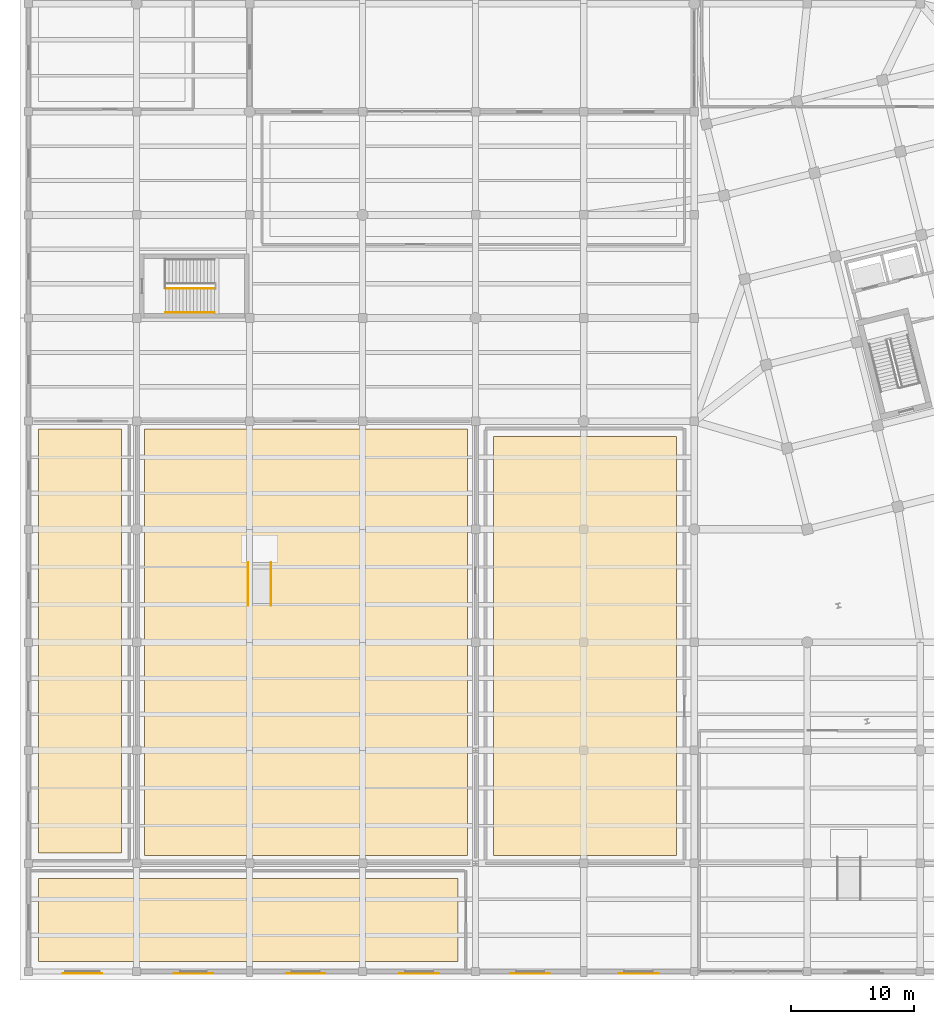
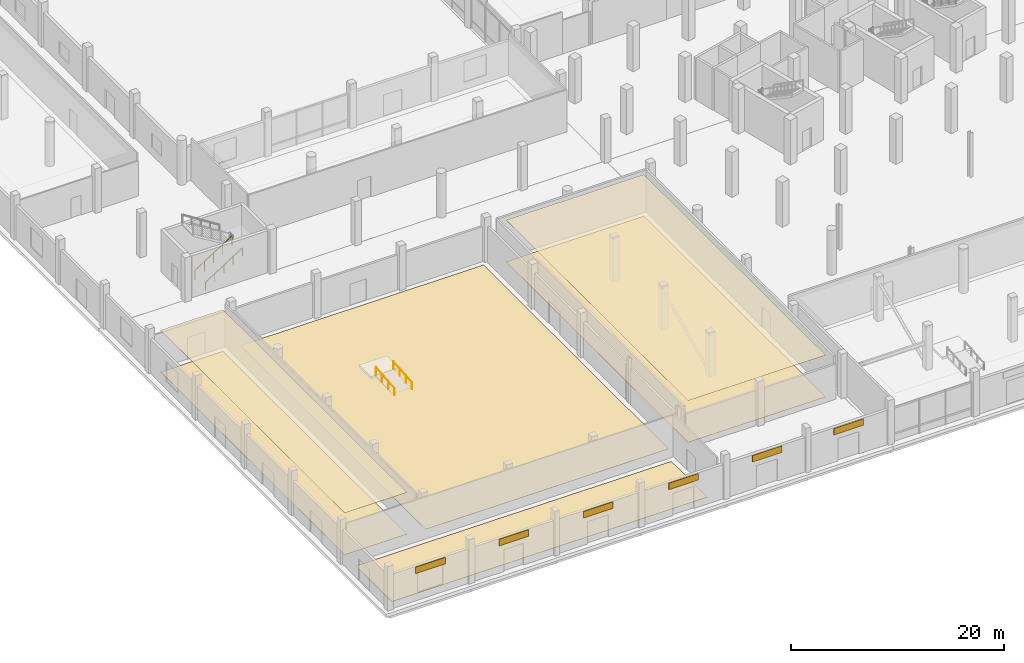
# One storey, part 66 of 73: 12 coverings, 4 railings.
"""IFC4 building model written with IfcOpenShell, lengths in metres."""

from ifc_helpers import new_model, si_unit, direction, frame, origin, origin_2d, place, context, subcontext, project, spatial, polyline, rectangle, circle, outline, extrude, material, layer, layer_set, type_object, element, save


model = new_model("IFC4")

# Units and contexts
model_context = context("Model", 3, precision=1e-05, world=origin(), true_north=direction((0.0, 1.0)))
body_context = subcontext(model_context, "Body", "Model", "MODEL_VIEW")
ifc_project = project(units=[si_unit("LENGTHUNIT", "METRE"), si_unit("AREAUNIT", "SQUARE_METRE"), si_unit("VOLUMEUNIT", "CUBIC_METRE"), si_unit("PLANEANGLEUNIT", "RADIAN"), si_unit("MASSUNIT", "GRAM", prefix="KILO")], contexts=[model_context])

# Site, building, storey
site_placement = place(None, origin())
site = spatial("IfcSite", under=ifc_project, at=site_placement, CompositionType="ELEMENT")
building_placement = place(site_placement, origin())
building = spatial("IfcBuilding", under=site, at=building_placement, Name="Meriwether Solvik Hall", CompositionType="ELEMENT")
storey_placement = place(building_placement, origin())
storey = spatial("IfcBuildingStorey", under=building, at=storey_placement, Name="L00", CompositionType="ELEMENT", Elevation=0.0)

# Coverings
ifc_material_1 = material(Name="Micro-Perforated Rift White Oak Timber", Category="wood")
ifc_layer_1 = layer(ifc_material_1, 0.02490234375)
ifc_layer_set_1 = layer_set([ifc_layer_1], Name="Micro-Perforated Rift White Oak Timber")
covering_type_1 = type_object("IfcCoveringType", Name="COV-CEIL-AC", PredefinedType="CEILING", material=ifc_layer_set_1)
covering_1_placement = place(storey_placement, frame((0.0, 0.0, 4.77490234375)))
element("IfcCovering", 1, at=covering_1_placement, inside=storey, type_object=covering_type_1, Name="Interfaith Fellowship Lounge Acoustic Soffit Ceiling", PredefinedType="CEILING", context=body_context, shape_type="SweptSolid", body=[
    extrude(outline(polyline([(12.75, 14.85009765625), (6.0, 14.85009765625), (6.0, 49.35009765625), (12.75, 49.35009765625), (12.75, 14.85009765625)])), origin(), (0.0, 0.0, 1.0), 0.025146484375),
])
ifc_material_2 = material(Name="Moisture-Resistant Gypsum Board", Category="gypsum")
ifc_layer_2 = layer(ifc_material_2, 0.01806640625)
ifc_layer_set_2 = layer_set([ifc_layer_2], Name="Moisture-Resistant Gypsum Board")
covering_type_2 = type_object("IfcCoveringType", Name="COV-CEIL-GYP", PredefinedType="CEILING", material=ifc_layer_set_2)
covering_2_placement = place(storey_placement, frame((0.0, 0.0, 4.781982421875)))
element("IfcCovering", 2, at=covering_2_placement, inside=storey, type_object=covering_type_2, Name="Community Music Practice Studio Acoustic Soffit Ceiling", PredefinedType="CEILING", context=body_context, shape_type="SweptSolid", body=[
    extrude(outline(polyline([(57.949951171875, 48.75), (57.949951171875, 14.64990234375), (43.050048828125, 14.64990234375), (43.050048828125, 48.75), (57.949951171875, 48.75)])), origin(), (0.0, 0.0, 1.0), 0.01806640625),
])
ifc_material_3 = material(Name="Glazed Extruded Terracotta Ceramic", Category="masonry")
ifc_layer_3 = layer(ifc_material_3, 0.044921875)
ifc_layer_set_3 = layer_set([ifc_layer_3], Name="Glazed Extruded Terracotta Ceramic")
covering_type_3 = type_object("IfcCoveringType", Name="COV-CLAD-TERRA", PredefinedType="CLADDING", material=ifc_layer_set_3)
for number, where, z_axis, x_axis, name in (
    (3, (9.60009765625, 5.012451171875, 3.139892578125), (0.0, 0.0, 1.0), (-1.0, 0.0, 0.0), "L00 Facade Cladding XA_1_0"),
    (4, (18.637451171875, 5.02490234375, 3.139892578125), (0.0, 0.0, 1.0), (-1.0, 0.0, 0.0), "L00 Facade Cladding XA_2_1"),
    (5, (27.762451171875, 5.012451171875, 3.139892578125), (0.0, 0.0, 1.0), (-1.0, 0.0, 0.0), "L00 Facade Cladding XA_3_2"),
    (6, (37.0, 5.02490234375, 3.139892578125), (0.0, 0.0, 1.0), (-1.0, 0.0, 0.0), "L00 Facade Cladding XA_4_3"),
    (7, (46.03759765625, 5.012451171875, 3.139892578125), (0.0, 0.0, 1.0), (-1.0, 0.0, 0.0), "L00 Facade Cladding XA_5_4"),
    (8, (54.862548828125, 5.02490234375, 3.139892578125), (0.0, 0.0, 1.0), (-1.0, 0.0, 0.0), "L00 Facade Cladding XA_6_5"),
):
    element("IfcCovering", number, at=place(storey_placement, frame(where, z_axis=z_axis, x_axis=x_axis)), inside=storey, type_object=covering_type_3, Name=name, PredefinedType="CLADDING", context=body_context, shape_type="SweptSolid", body=[
        extrude(rectangle(XDim=3.199951171875, YDim=0.044921875, at=origin_2d()), origin(), (0.0, 0.0, 1.0), 0.75),
    ])
ifc_material_4 = material(Name="Solid White Oak Strip Timber", Category="wood")
ifc_layer_4 = layer(ifc_material_4, 0.028076171875)
ifc_layer_set_4 = layer_set([ifc_layer_4], Name="Solid White Oak Strip Timber")
covering_type_4 = type_object("IfcCoveringType", Name="COV-FLR-OAK", PredefinedType="FLOORING", material=ifc_layer_set_4)
covering_3_placement = place(storey_placement, origin())
element("IfcCovering", 9, at=covering_3_placement, inside=storey, type_object=covering_type_4, Name="Sanctuary Finish Flooring", PredefinedType="FLOORING", context=body_context, shape_type="SweptSolid", body=[
    extrude(outline(polyline([(40.949951171875, 49.35009765625), (40.949951171875, 14.64990234375), (14.64990234375, 14.64990234375), (14.64990234375, 49.35009765625), (40.949951171875, 49.35009765625)])), origin(), (0.0, 0.0, 1.0), 0.028076171875),
])
covering_4_placement = place(storey_placement, origin())
element("IfcCovering", 10, at=covering_4_placement, inside=storey, type_object=covering_type_4, Name="Sanctuary South Narthex Lounge Finish Flooring", PredefinedType="FLOORING", context=body_context, shape_type="SweptSolid", body=[
    extrude(outline(polyline([(40.14990234375, 6.0), (6.0, 6.0), (6.0, 12.75), (40.14990234375, 12.75), (40.14990234375, 6.0)])), origin(), (0.0, 0.0, 1.0), 0.028076171875),
])
covering_5_placement = place(storey_placement, origin())
element("IfcCovering", 11, at=covering_5_placement, inside=storey, type_object=covering_type_4, Name="Community Music Practice Studio Finish Flooring", PredefinedType="FLOORING", context=body_context, shape_type="SweptSolid", body=[
    extrude(outline(polyline([(57.949951171875, 48.75), (57.949951171875, 14.64990234375), (43.050048828125, 14.64990234375), (43.050048828125, 48.75), (57.949951171875, 48.75)])), origin(), (0.0, 0.0, 1.0), 0.028076171875),
])
ifc_material_5 = material(Name="Polished Recycled-Aggregate Terrazzo", Category="stone")
ifc_layer_5 = layer(ifc_material_5, 0.02001953125)
ifc_layer_set_5 = layer_set([ifc_layer_5], Name="Polished Recycled-Aggregate Terrazzo")
covering_type_5 = type_object("IfcCoveringType", Name="COV-FLR-TERR", PredefinedType="FLOORING", material=ifc_layer_set_5)
covering_6_placement = place(storey_placement, origin())
element("IfcCovering", 12, at=covering_6_placement, inside=storey, type_object=covering_type_5, Name="Interfaith Fellowship Lounge Finish Flooring", PredefinedType="FLOORING", context=body_context, shape_type="SweptSolid", body=[
    extrude(outline(polyline([(12.75, 14.85009765625), (6.0, 14.85009765625), (6.0, 49.35009765625), (12.75, 49.35009765625), (12.75, 14.85009765625)])), origin(), (0.0, 0.0, 1.0), 0.02001953125),
])

# Railings
ifc_material_6 = material(Name="Steel A36 Galvanised", Category="steel")
ifc_layer_6 = layer(ifc_material_6, 0.054931640625)
ifc_layer_set_6 = layer_set([ifc_layer_6], Name="Steel A36 Galvanised")
railing_type_1 = type_object("IfcRailingType", Name="RAIL-STR-GUARD", PredefinedType="GUARDRAIL", material=ifc_layer_set_6)
railing_1_placement = place(storey_placement, frame((16.35009765625, 60.800048828125, 0.0)))
element("IfcRailing", 13, at=railing_1_placement, inside=storey, type_object=railing_type_1, Name="Stair ST-04 Flight 1 Inner Guardrail (L00)", PredefinedType="GUARDRAIL", context=body_context, shape_type="SweptSolid", body=[
    extrude(circle(Radius=0.02392578125, at=origin_2d()), frame((0.0, 0.0, 1.09619140625), z_axis=(0.842611129269, 0.0, 0.538522501696), x_axis=(0.0, 1.0, 0.0)), (0.0, 0.0, 1.0), 4.7353515625),
    extrude(circle(Radius=0.02099609375, at=origin_2d()), origin(), (0.0, 0.0, 1.0), 1.072021484375),
    extrude(circle(Radius=0.02099609375, at=origin_2d()), frame((0.99755859375, 0.0, 0.637451171875)), (0.0, 0.0, 1.0), 1.072021484375),
    extrude(circle(Radius=0.02099609375, at=origin_2d()), frame((1.9951171875, 0.0, 1.27490234375)), (0.0, 0.0, 1.0), 1.072021484375),
    extrude(circle(Radius=0.02099609375, at=origin_2d()), frame((2.992431640625, 0.0, 1.91259765625)), (0.0, 0.0, 1.0), 1.072021484375),
    extrude(circle(Radius=0.02099609375, at=origin_2d()), frame((3.989990234375, 0.0, 2.550048828125)), (0.0, 0.0, 1.0), 1.072021484375),
])
ifc_material_7 = material(Name="Stainless Steel AISI 316", Category="steel")
ifc_layer_7 = layer(ifc_material_7, 0.044921875)
ifc_layer_set_7 = layer_set([ifc_layer_7], Name="Stainless Steel AISI 316")
railing_type_2 = type_object("IfcRailingType", Name="RAIL-STR-HAND", PredefinedType="HANDRAIL", material=ifc_layer_set_7)
railing_2_placement = place(storey_placement, frame((16.35009765625, 58.85009765625, 0.0)))
element("IfcRailing", 14, at=railing_2_placement, inside=storey, type_object=railing_type_2, Name="Stair ST-04 Lower Handrail (L00)", PredefinedType="HANDRAIL", context=body_context, shape_type="SweptSolid", body=[
    extrude(circle(Radius=0.02392578125, at=origin_2d()), frame((0.0, 0.0, 0.89599609375), z_axis=(0.842619041047, 0.0, 0.538510122157), x_axis=(0.0, 1.0, 0.0)), (0.0, 0.0, 1.0), 4.7421875),
    extrude(circle(Radius=0.02099609375, at=origin_2d()), origin(), (0.0, 0.0, 1.0), 0.871826171875),
    extrude(circle(Radius=0.02099609375, at=origin_2d()), frame((0.9990234375, 0.0, 0.638427734375)), (0.0, 0.0, 1.0), 0.871826171875),
    extrude(circle(Radius=0.02099609375, at=origin_2d()), frame((1.998046875, 0.0, 1.27685546875)), (0.0, 0.0, 1.0), 0.871826171875),
    extrude(circle(Radius=0.02099609375, at=origin_2d()), frame((2.996826171875, 0.0, 1.915283203125)), (0.0, 0.0, 1.0), 0.871826171875),
    extrude(circle(Radius=0.02099609375, at=origin_2d()), frame((3.995849609375, 0.0, 2.5537109375)), (0.0, 0.0, 1.0), 0.871826171875),
])
for number, where, name in (
    (15, (23.050048828125, 35.0, 0.0), "Accessible Ramp AR1 Handrail W"),
    (16, (24.949951171875, 35.0, 0.0), "Accessible Ramp AR1 Handrail E"),
):
    element("IfcRailing", number, at=place(storey_placement, frame(where)), inside=storey, type_object=railing_type_2, Name=name, PredefinedType="HANDRAIL", context=body_context, shape_type="SweptSolid", body=[
        extrude(circle(Radius=0.02392578125, at=origin_2d()), frame((0.0, 0.0, 0.89599609375), z_axis=(0.0, 0.996814615237, 0.079753513091), x_axis=(-1.0, 0.0, 0.0)), (0.0, 0.0, 1.0), 3.51123046875),
        extrude(circle(Radius=0.02099609375, at=origin_2d()), origin(), (0.0, 0.0, 1.0), 0.871826171875),
        extrude(circle(Radius=0.02099609375, at=origin_2d()), frame((0.0, 1.166748046875, 0.09326171875)), (0.0, 0.0, 1.0), 0.871826171875),
        extrude(circle(Radius=0.02099609375, at=origin_2d()), frame((0.0, 2.333251953125, 0.186767578125)), (0.0, 0.0, 1.0), 0.871826171875),
        extrude(circle(Radius=0.02099609375, at=origin_2d()), frame((0.0, 3.5, 0.280029296875)), (0.0, 0.0, 1.0), 0.871826171875),
    ])

save(model, "model.ifc")
